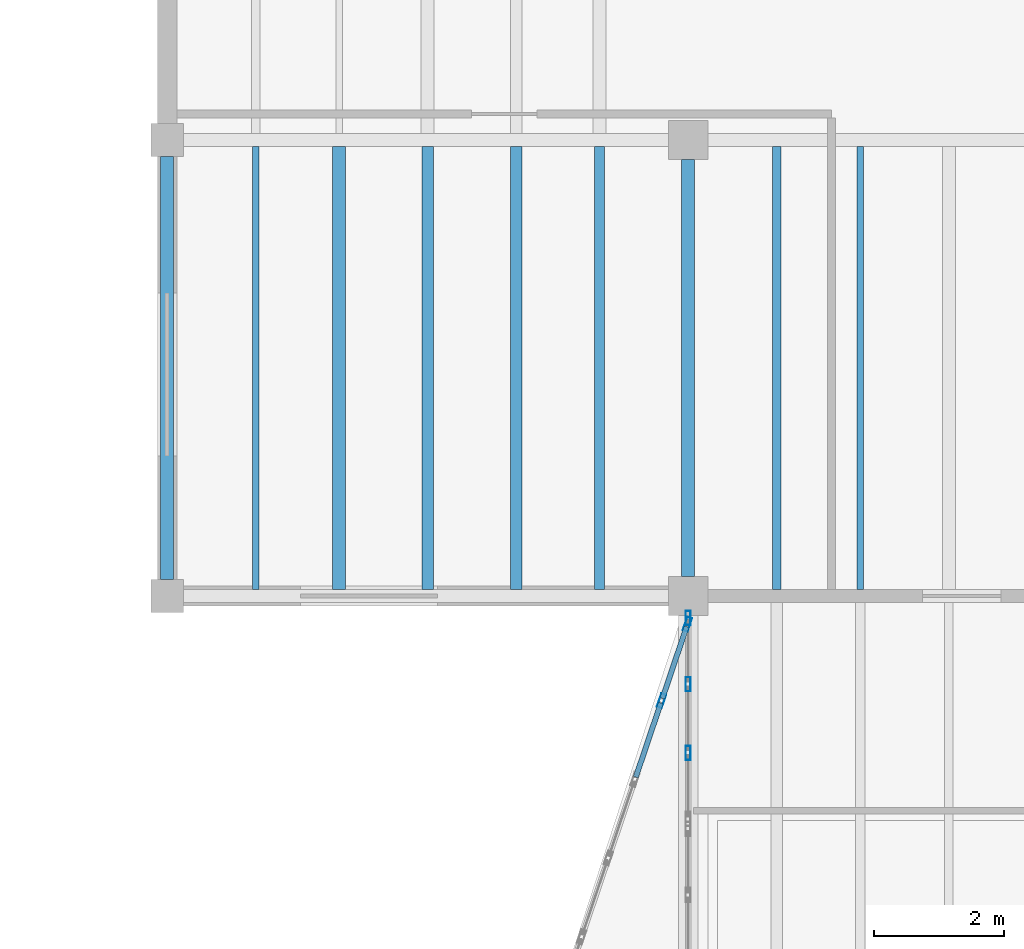
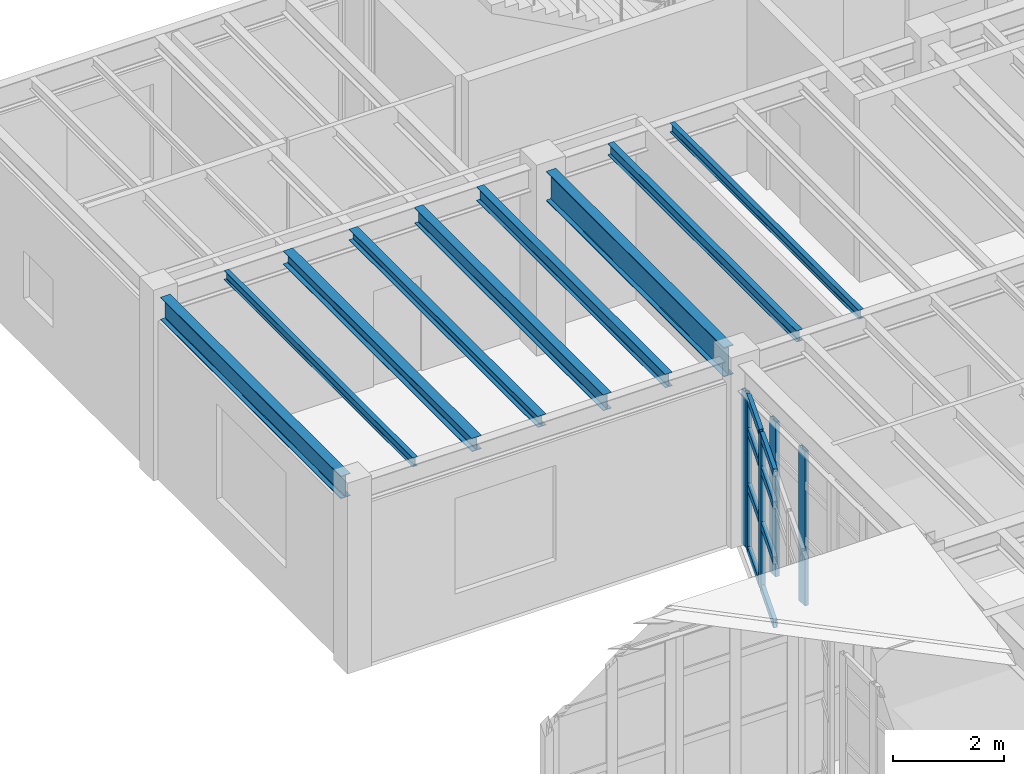
# One storey, part 39 of 77: 13 members, 9 beams, 2 elements without a shape of their own.
"""IFC4 building model written with IfcOpenShell, lengths in metres."""

from ifc_helpers import new_model, si_unit, direction, frame, origin, origin_2d, place, context, subcontext, project, spatial, hollow_rectangle, i_section, extrude, material, material_profile, profile_set, type_object, element, aggregate, save


model = new_model("IFC4")

# Units and contexts
model_context = context("Model", 3, precision=1e-05, world=origin(), true_north=direction((0.0, 1.0)))
body_context = subcontext(model_context, "Body", "Model", "MODEL_VIEW")
ifc_project = project(units=[si_unit("LENGTHUNIT", "METRE"), si_unit("AREAUNIT", "SQUARE_METRE"), si_unit("VOLUMEUNIT", "CUBIC_METRE"), si_unit("PLANEANGLEUNIT", "RADIAN"), si_unit("MASSUNIT", "GRAM", prefix="KILO"), si_unit("THERMODYNAMICTEMPERATUREUNIT", "KELVIN"), si_unit("POWERUNIT", "WATT")], contexts=[model_context])

# Site, building, storey
site_placement = place(None, origin())
site = spatial("IfcSite", under=ifc_project, at=site_placement, CompositionType="ELEMENT")
building_placement = place(site_placement, origin())
building = spatial("IfcBuilding", under=site, at=building_placement, Name="Zhenchuan Central Fire Station", CompositionType="ELEMENT")
storey_placement = place(building_placement, frame((0.0, 0.0, 10.050048828125)))
storey = spatial("IfcBuildingStorey", under=building, at=storey_placement, Name="L03", CompositionType="ELEMENT", Elevation=10.050048828125)

# Beams
ifc_material_1 = material(Name="Steel Q355B", Category="steel")
ifc_material_profile_1 = material_profile(ifc_material_1, i_section(OverallWidth=0.199951171875, OverallDepth=0.5, WebThickness=0.010009765625, FlangeThickness=0.01611328125, FilletRadius=0.02001953125, at=origin_2d()), Name="HN 500x200")
ifc_profile_set_1 = profile_set([ifc_material_profile_1], Name="Steel Q355B")
beam_type_1 = type_object("IfcBeamType", Name="BM-HN500-INT", PredefinedType="BEAM", material=ifc_profile_set_1)
beam_1_placement = place(storey_placement, frame((132.0, 42.75, 3.75), z_axis=(0.0, 1.0, 0.0), x_axis=(-1.0, 0.0, 0.0)))
element("IfcBeam", 1, at=beam_1_placement, inside=storey, type_object=beam_type_1, Name="L04 Girder NS 0400", PredefinedType="BEAM", context=body_context, shape_type="SweptSolid", body=[
    extrude(i_section(OverallWidth=0.199951171875, OverallDepth=0.5, WebThickness=0.010009765625, FlangeThickness=0.01611328125, FilletRadius=0.02001953125, at=origin_2d()), origin(), (0.0, 0.0, 1.0), 6.5),
])
ifc_material_profile_2 = material_profile(ifc_material_1, i_section(OverallWidth=0.199951171875, OverallDepth=0.64990234375, WebThickness=0.011962890625, FlangeThickness=0.02001953125, FilletRadius=0.02197265625, at=origin_2d()), Name="HN 650x200")
ifc_profile_set_2 = profile_set([ifc_material_profile_2], Name="Steel Q355B")
beam_type_2 = type_object("IfcBeamType", Name="BM-HN650", PredefinedType="BEAM", material=ifc_profile_set_2)
beam_2_placement = place(storey_placement, frame((140.0, 42.800048828125, 3.675048828125), z_axis=(0.0, 1.0, 0.0), x_axis=(-1.0, 0.0, 0.0)))
element("IfcBeam", 2, at=beam_2_placement, inside=storey, type_object=beam_type_2, Name="L04 Girder NS 0408", PredefinedType="BEAM", context=body_context, shape_type="SweptSolid", body=[
    extrude(i_section(OverallWidth=0.199951171875, OverallDepth=0.64990234375, WebThickness=0.011962890625, FlangeThickness=0.02001953125, FilletRadius=0.02197265625, at=origin_2d()), origin(), (0.0, 0.0, 1.0), 6.39990234375),
])

# Curtain wall, members
ifc_material_2 = material(Name="Anodised aluminium and low-E glazing", Category="aluminium")
curtain_wall_type_1 = type_object("IfcCurtainWallType", Name="CW-MOD-17", PredefinedType="USERDEFINED", material=ifc_material_2)
curtain_wall_1_placement = place(storey_placement, origin())
curtain_wall_1 = element("IfcCurtainWall", 3, at=curtain_wall_1_placement, inside=storey, type_object=curtain_wall_type_1, Name="L03 Unitised Curtain Wall 117", ObjectType="UNITISED GLAZING", PredefinedType="USERDEFINED")
ifc_material_3 = material(Name="Anodised aluminium EN AW-6063", Category="aluminium")
ifc_material_profile_3 = material_profile(ifc_material_3, hollow_rectangle(XDim=0.080078125, YDim=0.219970703125, WallThickness=0.005615234375, at=origin_2d()), Name="ALU-M 220x80")
ifc_profile_set_3 = profile_set([ifc_material_profile_3], Name="Anodised aluminium EN AW-6063")
member_type_1 = type_object("IfcMemberType", Name="CW-MUL200", PredefinedType="MULLION", material=ifc_profile_set_3)
member_1_placement = place(storey_placement, frame((140.0, 40.092041015625, -0.004150390625), z_axis=(0.0, 0.0, 1.0), x_axis=(-1.0, 0.0, 0.0)))
member_1 = element("IfcMember", 4, at=member_1_placement, type_object=member_type_1, Name="CW-17 mullion 2", PredefinedType="MULLION", context=body_context, shape_type="SweptSolid", body=[
    extrude(hollow_rectangle(XDim=0.080078125, YDim=0.219970703125, WallThickness=0.005615234375, at=origin_2d()), origin(), (0.0, 0.0, 1.0), 3.404052734375),
])
member_2_placement = place(storey_placement, frame((140.0, 41.14599609375, -0.004150390625), z_axis=(0.0, 0.0, 1.0), x_axis=(-1.0, 0.0, 0.0)))
member_2 = element("IfcMember", 5, at=member_2_placement, type_object=member_type_1, Name="CW-17 mullion 3", PredefinedType="MULLION", context=body_context, shape_type="SweptSolid", body=[
    extrude(hollow_rectangle(XDim=0.080078125, YDim=0.219970703125, WallThickness=0.005615234375, at=origin_2d()), origin(), (0.0, 0.0, 1.0), 3.404052734375),
])
member_3_placement = place(storey_placement, frame((140.0, 42.16259765625, -0.004150390625), z_axis=(0.0, 0.0, 1.0), x_axis=(-1.0, 0.0, 0.0)))
member_3 = element("IfcMember", 6, at=member_3_placement, type_object=member_type_1, Name="CW-17 mullion 4", PredefinedType="MULLION", context=body_context, shape_type="SweptSolid", body=[
    extrude(hollow_rectangle(XDim=0.080078125, YDim=0.219970703125, WallThickness=0.005615234375, at=origin_2d()), origin(), (0.0, 0.0, 1.0), 3.404052734375),
])
aggregate(curtain_wall_1, [member_1, member_2, member_3])

curtain_wall_type_2 = type_object("IfcCurtainWallType", Name="CW-MOD-18", PredefinedType="USERDEFINED", material=ifc_material_2)
curtain_wall_2_placement = place(storey_placement, origin())
curtain_wall_2 = element("IfcCurtainWall", 7, at=curtain_wall_2_placement, inside=storey, type_object=curtain_wall_type_2, Name="L03 Unitised Curtain Wall 121", ObjectType="UNITISED GLAZING", PredefinedType="USERDEFINED")
member_4_placement = place(storey_placement, frame((139.591552734375, 40.8916015625, -0.004150390625), z_axis=(0.0, 0.0, 1.0), x_axis=(-0.94736848346, 0.320145211655, 0.0)))
member_4 = element("IfcMember", 8, at=member_4_placement, type_object=member_type_1, Name="CW-18 mullion 6", PredefinedType="MULLION", context=body_context, shape_type="SweptSolid", body=[
    extrude(hollow_rectangle(XDim=0.080078125, YDim=0.219970703125, WallThickness=0.005615234375, at=origin_2d()), origin(), (0.0, 0.0, 1.0), 3.404052734375),
])
member_5_placement = place(storey_placement, frame((139.988037109375, 42.064453125, -0.004150390625), z_axis=(0.0, 0.0, 1.0), x_axis=(-0.94736848346, 0.320145211655, 0.0)))
member_5 = element("IfcMember", 9, at=member_5_placement, type_object=member_type_1, Name="CW-18 mullion 7", PredefinedType="MULLION", context=body_context, shape_type="SweptSolid", body=[
    extrude(hollow_rectangle(XDim=0.080078125, YDim=0.219970703125, WallThickness=0.005615234375, at=origin_2d()), origin(), (0.0, 0.0, 1.0), 3.404052734375),
])
ifc_material_profile_4 = material_profile(ifc_material_3, hollow_rectangle(XDim=0.080078125, YDim=0.1650390625, WallThickness=0.0048828125, at=origin_2d()), Name="ALU-T 165x80")
ifc_profile_set_4 = profile_set([ifc_material_profile_4], Name="Anodised aluminium EN AW-6063")
member_type_2 = type_object("IfcMemberType", Name="CW-TRN150", PredefinedType="NOTDEFINED", material=ifc_profile_set_4)
member_6_placement = place(storey_placement, frame((139.1953125, 39.71875, 0.033447265625), z_axis=(0.320068432421, 0.94739442608, 0.0), x_axis=(-0.94739442608, 0.320068432421, 0.0)))
member_6 = element("IfcMember", 10, at=member_6_placement, type_object=member_type_2, Name="CW-18 transom 5.1", ObjectType="TRANSOM", PredefinedType="USERDEFINED", context=body_context, shape_type="SweptSolid", body=[
    extrude(hollow_rectangle(XDim=0.080078125, YDim=0.1650390625, WallThickness=0.0048828125, at=origin_2d()), origin(), (0.0, 0.0, 1.0), 1.20068359375),
])
member_7_placement = place(storey_placement, frame((139.1953125, 39.71875, 1.427978515625), z_axis=(0.320068432421, 0.94739442608, 0.0), x_axis=(-0.94739442608, 0.320068432421, 0.0)))
member_7 = element("IfcMember", 11, at=member_7_placement, type_object=member_type_2, Name="CW-18 transom 5.2", ObjectType="TRANSOM", PredefinedType="USERDEFINED", context=body_context, shape_type="SweptSolid", body=[
    extrude(hollow_rectangle(XDim=0.080078125, YDim=0.1650390625, WallThickness=0.0048828125, at=origin_2d()), origin(), (0.0, 0.0, 1.0), 1.20068359375),
])
member_8_placement = place(storey_placement, frame((139.1953125, 39.71875, 2.65185546875), z_axis=(0.320068432421, 0.94739442608, 0.0), x_axis=(-0.94739442608, 0.320068432421, 0.0)))
member_8 = element("IfcMember", 12, at=member_8_placement, type_object=member_type_2, Name="CW-18 transom 5.3", ObjectType="TRANSOM", PredefinedType="USERDEFINED", context=body_context, shape_type="SweptSolid", body=[
    extrude(hollow_rectangle(XDim=0.080078125, YDim=0.1650390625, WallThickness=0.0048828125, at=origin_2d()), origin(), (0.0, 0.0, 1.0), 1.20068359375),
])
member_9_placement = place(storey_placement, frame((139.1953125, 39.71875, 3.362548828125), z_axis=(0.320068432421, 0.94739442608, 0.0), x_axis=(-0.94739442608, 0.320068432421, 0.0)))
member_9 = element("IfcMember", 13, at=member_9_placement, type_object=member_type_2, Name="CW-18 transom 5.4", ObjectType="TRANSOM", PredefinedType="USERDEFINED", context=body_context, shape_type="SweptSolid", body=[
    extrude(hollow_rectangle(XDim=0.080078125, YDim=0.1650390625, WallThickness=0.0048828125, at=origin_2d()), origin(), (0.0, 0.0, 1.0), 1.20068359375),
])
member_10_placement = place(storey_placement, frame((139.603759765625, 40.92724609375, 0.033447265625), z_axis=(0.320129619419, 0.947373752418, 0.0), x_axis=(-0.947373752418, 0.320129619419, 0.0)))
member_10 = element("IfcMember", 14, at=member_10_placement, type_object=member_type_2, Name="CW-18 transom 6.1", ObjectType="TRANSOM", PredefinedType="USERDEFINED", context=body_context, shape_type="SweptSolid", body=[
    extrude(hollow_rectangle(XDim=0.080078125, YDim=0.1650390625, WallThickness=0.0048828125, at=origin_2d()), origin(), (0.0, 0.0, 1.0), 1.1630859375),
])
member_11_placement = place(storey_placement, frame((139.603759765625, 40.92724609375, 1.427978515625), z_axis=(0.320129619419, 0.947373752418, 0.0), x_axis=(-0.947373752418, 0.320129619419, 0.0)))
member_11 = element("IfcMember", 15, at=member_11_placement, type_object=member_type_2, Name="CW-18 transom 6.2", ObjectType="TRANSOM", PredefinedType="USERDEFINED", context=body_context, shape_type="SweptSolid", body=[
    extrude(hollow_rectangle(XDim=0.080078125, YDim=0.1650390625, WallThickness=0.0048828125, at=origin_2d()), origin(), (0.0, 0.0, 1.0), 1.1630859375),
])
member_12_placement = place(storey_placement, frame((139.603759765625, 40.92724609375, 2.65185546875), z_axis=(0.320129619419, 0.947373752418, 0.0), x_axis=(-0.947373752418, 0.320129619419, 0.0)))
member_12 = element("IfcMember", 16, at=member_12_placement, type_object=member_type_2, Name="CW-18 transom 6.3", ObjectType="TRANSOM", PredefinedType="USERDEFINED", context=body_context, shape_type="SweptSolid", body=[
    extrude(hollow_rectangle(XDim=0.080078125, YDim=0.1650390625, WallThickness=0.0048828125, at=origin_2d()), origin(), (0.0, 0.0, 1.0), 1.1630859375),
])
member_13_placement = place(storey_placement, frame((139.603759765625, 40.92724609375, 3.362548828125), z_axis=(0.320129619419, 0.947373752418, 0.0), x_axis=(-0.947373752418, 0.320129619419, 0.0)))
member_13 = element("IfcMember", 17, at=member_13_placement, type_object=member_type_2, Name="CW-18 transom 6.4", ObjectType="TRANSOM", PredefinedType="USERDEFINED", context=body_context, shape_type="SweptSolid", body=[
    extrude(hollow_rectangle(XDim=0.080078125, YDim=0.1650390625, WallThickness=0.0048828125, at=origin_2d()), origin(), (0.0, 0.0, 1.0), 1.1630859375),
])
aggregate(curtain_wall_2, [member_4, member_5, member_6, member_7, member_8, member_9, member_10, member_11, member_12, member_13])

# Beams
ifc_material_profile_5 = material_profile(ifc_material_1, i_section(OverallWidth=0.175048828125, OverallDepth=0.243896484375, WebThickness=0.007080078125, FlangeThickness=0.010986328125, FilletRadius=0.012939453125, at=origin_2d()), Name="HM 244x175")
ifc_profile_set_5 = profile_set([ifc_material_profile_5], Name="Steel Q355B")
beam_type_3 = type_object("IfcBeamType", Name="JS-HM244", PredefinedType="JOIST", material=ifc_profile_set_5)
beam_3_placement = place(storey_placement, frame((136.0, 42.596923828125, 3.8779296875), z_axis=(0.0, 1.0, 0.0), x_axis=(-1.0, 0.0, 0.0)))
element("IfcBeam", 18, at=beam_3_placement, inside=storey, type_object=beam_type_3, Name="L04 Secondary Joist 0666", PredefinedType="JOIST", context=body_context, shape_type="SweptSolid", body=[
    extrude(i_section(OverallWidth=0.175048828125, OverallDepth=0.243896484375, WebThickness=0.007080078125, FlangeThickness=0.010986328125, FilletRadius=0.012939453125, at=origin_2d()), origin(), (0.0, 0.0, 1.0), 6.80615234375),
])
ifc_material_profile_6 = material_profile(ifc_material_1, i_section(OverallWidth=0.199951171875, OverallDepth=0.2939453125, WebThickness=0.008056640625, FlangeThickness=0.011962890625, FilletRadius=0.01611328125, at=origin_2d()), Name="HM 294x200")
ifc_profile_set_6 = profile_set([ifc_material_profile_6], Name="Steel Q355B")
beam_type_4 = type_object("IfcBeamType", Name="JS-HM294", PredefinedType="JOIST", material=ifc_profile_set_6)
beam_4_placement = place(storey_placement, frame((134.639892578125, 42.596923828125, 3.85302734375), z_axis=(0.0, 1.0, 0.0), x_axis=(-1.0, 0.0, 0.0)))
element("IfcBeam", 19, at=beam_4_placement, inside=storey, type_object=beam_type_4, Name="L04 Secondary Joist 0665", PredefinedType="JOIST", context=body_context, shape_type="SweptSolid", body=[
    extrude(i_section(OverallWidth=0.199951171875, OverallDepth=0.2939453125, WebThickness=0.008056640625, FlangeThickness=0.011962890625, FilletRadius=0.01611328125, at=origin_2d()), origin(), (0.0, 0.0, 1.0), 6.80615234375),
])
ifc_material_profile_7 = material_profile(ifc_material_1, i_section(OverallWidth=0.10009765625, OverallDepth=0.199951171875, WebThickness=0.005615234375, FlangeThickness=0.008056640625, FilletRadius=0.010986328125, at=origin_2d()), Name="HN 200x100")
ifc_profile_set_7 = profile_set([ifc_material_profile_7], Name="Steel Q355B")
beam_type_5 = type_object("IfcBeamType", Name="JS-HN200", PredefinedType="JOIST", material=ifc_profile_set_7)
for number, where, z_axis, x_axis, name in (
    (20, (133.360107421875, 42.596923828125, 3.89990234375), (0.0, 1.0, 0.0), (-1.0, 0.0, 0.0), "L04 Secondary Joist 0664"),
    (21, (142.639892578125, 42.596923828125, 3.89990234375), (0.0, 1.0, 0.0), (-1.0, 0.0, 0.0), "L04 Secondary Joist 0670"),
):
    element("IfcBeam", number, at=place(storey_placement, frame(where, z_axis=z_axis, x_axis=x_axis)), inside=storey, type_object=beam_type_5, Name=name, PredefinedType="JOIST", context=body_context, shape_type="SweptSolid", body=[
        extrude(i_section(OverallWidth=0.10009765625, OverallDepth=0.199951171875, WebThickness=0.005615234375, FlangeThickness=0.008056640625, FilletRadius=0.010986328125, at=origin_2d()), origin(), (0.0, 0.0, 1.0), 6.80615234375),
    ])
ifc_material_profile_8 = material_profile(ifc_material_1, i_section(OverallWidth=0.125, OverallDepth=0.25, WebThickness=0.006103515625, FlangeThickness=0.009033203125, FilletRadius=0.011962890625, at=origin_2d()), Name="HN 250x125")
ifc_profile_set_8 = profile_set([ifc_material_profile_8], Name="Steel Q355B")
beam_type_6 = type_object("IfcBeamType", Name="JS-HN250", PredefinedType="JOIST", material=ifc_profile_set_8)
beam_5_placement = place(storey_placement, frame((141.360107421875, 42.596923828125, 3.875), z_axis=(0.0, 1.0, 0.0), x_axis=(-1.0, 0.0, 0.0)))
element("IfcBeam", 22, at=beam_5_placement, inside=storey, type_object=beam_type_6, Name="L04 Secondary Joist 0669", PredefinedType="JOIST", context=body_context, shape_type="SweptSolid", body=[
    extrude(i_section(OverallWidth=0.125, OverallDepth=0.25, WebThickness=0.006103515625, FlangeThickness=0.009033203125, FilletRadius=0.011962890625, at=origin_2d()), origin(), (0.0, 0.0, 1.0), 6.80615234375),
])
ifc_material_profile_9 = material_profile(ifc_material_1, i_section(OverallWidth=0.14990234375, OverallDepth=0.300048828125, WebThickness=0.006591796875, FlangeThickness=0.009033203125, FilletRadius=0.012939453125, at=origin_2d()), Name="HN 300x150")
ifc_profile_set_9 = profile_set([ifc_material_profile_9], Name="Steel Q355B")
beam_type_7 = type_object("IfcBeamType", Name="JS-HN300", PredefinedType="JOIST", material=ifc_profile_set_9)
beam_6_placement = place(storey_placement, frame((138.639892578125, 42.596923828125, 3.849853515625), z_axis=(0.0, 1.0, 0.0), x_axis=(-1.0, 0.0, 0.0)))
element("IfcBeam", 23, at=beam_6_placement, inside=storey, type_object=beam_type_7, Name="L04 Secondary Joist 0668", PredefinedType="JOIST", context=body_context, shape_type="SweptSolid", body=[
    extrude(i_section(OverallWidth=0.14990234375, OverallDepth=0.300048828125, WebThickness=0.006591796875, FlangeThickness=0.009033203125, FilletRadius=0.012939453125, at=origin_2d()), origin(), (0.0, 0.0, 1.0), 6.80615234375),
])
ifc_material_profile_10 = material_profile(ifc_material_1, i_section(OverallWidth=0.175048828125, OverallDepth=0.35009765625, WebThickness=0.007080078125, FlangeThickness=0.010986328125, FilletRadius=0.013916015625, at=origin_2d()), Name="HN 350x175")
ifc_profile_set_10 = profile_set([ifc_material_profile_10], Name="Steel Q355B")
beam_type_8 = type_object("IfcBeamType", Name="JS-HN350", PredefinedType="JOIST", material=ifc_profile_set_10)
beam_7_placement = place(storey_placement, frame((137.360107421875, 42.596923828125, 3.824951171875), z_axis=(0.0, 1.0, 0.0), x_axis=(-1.0, 0.0, 0.0)))
element("IfcBeam", 24, at=beam_7_placement, inside=storey, type_object=beam_type_8, Name="L04 Secondary Joist 0667", PredefinedType="JOIST", context=body_context, shape_type="SweptSolid", body=[
    extrude(i_section(OverallWidth=0.175048828125, OverallDepth=0.35009765625, WebThickness=0.007080078125, FlangeThickness=0.010986328125, FilletRadius=0.013916015625, at=origin_2d()), origin(), (0.0, 0.0, 1.0), 6.80615234375),
])

save(model, "model.ifc")
